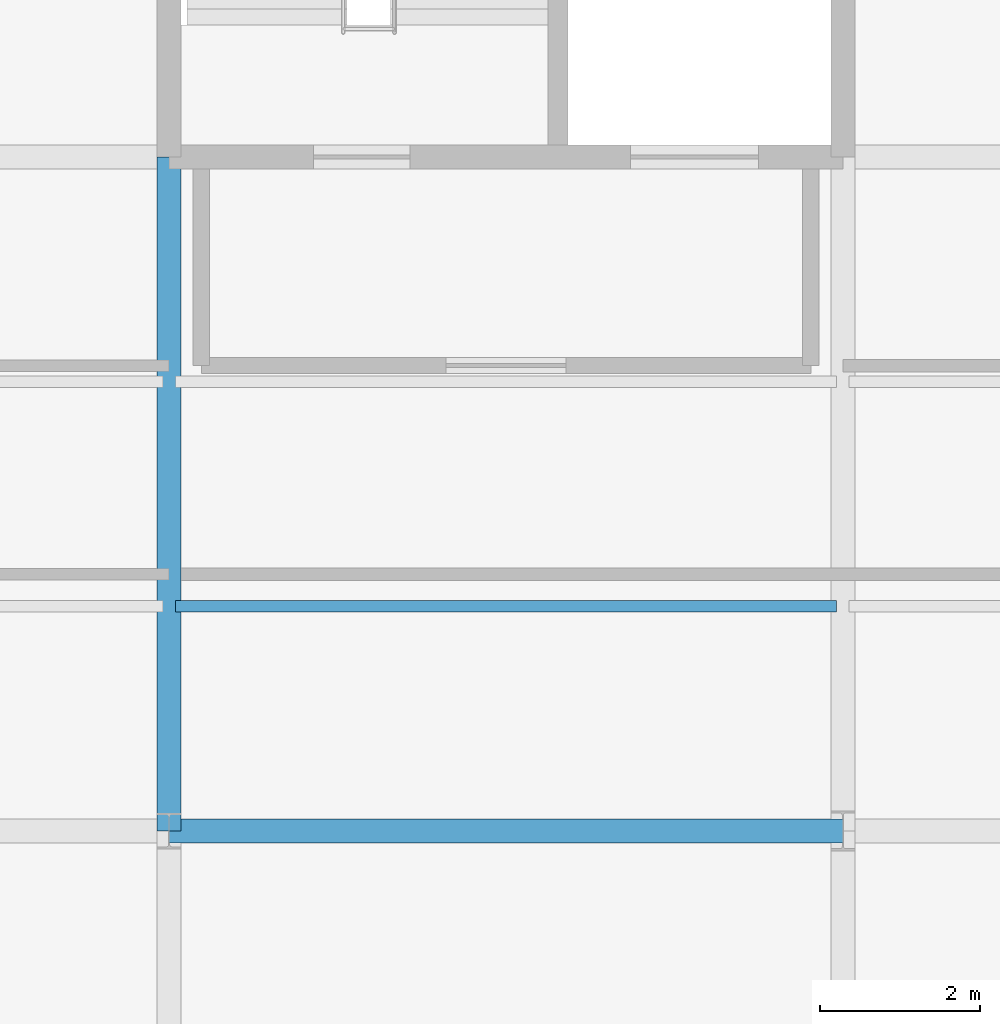
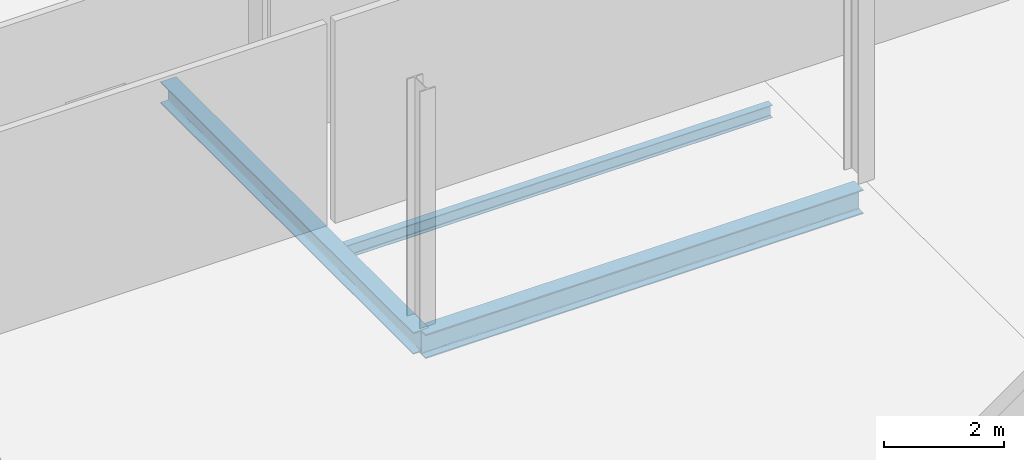
# One storey, part 36 of 145: 3 beams.
"""IFC4 building model written with IfcOpenShell, lengths in metres."""

from ifc_helpers import new_model, si_unit, direction, frame, origin, origin_2d, place, context, subcontext, project, spatial, i_section, extrude, material, material_profile, profile_set, type_object, element, save


model = new_model("IFC4")

# Units and contexts
model_context = context("Model", 3, precision=1e-05, world=origin(), true_north=direction((0.0, 1.0)))
body_context = subcontext(model_context, "Body", "Model", "MODEL_VIEW")
ifc_project = project(units=[si_unit("LENGTHUNIT", "METRE"), si_unit("AREAUNIT", "SQUARE_METRE"), si_unit("VOLUMEUNIT", "CUBIC_METRE"), si_unit("PLANEANGLEUNIT", "RADIAN"), si_unit("MASSUNIT", "GRAM", prefix="KILO")], contexts=[model_context])

# Site, building, storey
site_placement = place(None, origin())
site = spatial("IfcSite", under=ifc_project, at=site_placement, CompositionType="ELEMENT")
building_placement = place(site_placement, origin())
building = spatial("IfcBuilding", under=site, at=building_placement, Name="Qalvenar Corner Mobility Hub", CompositionType="ELEMENT")
storey_placement = place(building_placement, origin())
storey = spatial("IfcBuildingStorey", under=building, at=storey_placement, Name="L00", CompositionType="ELEMENT", Elevation=0.0)

# Beams
ifc_material = material(Name="Steel S355", Category="steel")
ifc_material_profile_1 = material_profile(ifc_material, i_section(OverallWidth=0.300048828125, OverallDepth=0.43994140625, WebThickness=0.011474609375, FlangeThickness=0.02099609375, FilletRadius=0.027099609375, at=origin_2d()), Name="HEA450")
ifc_profile_set_1 = profile_set([ifc_material_profile_1], Name="Steel S355")
beam_type_1 = type_object("IfcBeamType", Name="BM-HEA450", PredefinedType="BEAM", material=ifc_profile_set_1)
beam_1_placement = place(storey_placement, frame((8.39990234375, 50.39990234375, -0.43994140625), z_axis=(0.0, 1.0, 0.0), x_axis=(-1.0, 0.0, 0.0)))
element("IfcBeam", 1, at=beam_1_placement, inside=storey, type_object=beam_type_1, Name="Primary Steel Girder GY-0454", PredefinedType="BEAM", context=body_context, shape_type="SweptSolid", body=[
    extrude(i_section(OverallWidth=0.300048828125, OverallDepth=0.43994140625, WebThickness=0.011474609375, FlangeThickness=0.02099609375, FilletRadius=0.027099609375, at=origin_2d()), origin(), (0.0, 0.0, 1.0), 8.400146484375),
])
ifc_material_profile_2 = material_profile(ifc_material, i_section(OverallWidth=0.300048828125, OverallDepth=0.489990234375, WebThickness=0.011962890625, FlangeThickness=0.02294921875, FilletRadius=0.027099609375, at=origin_2d()), Name="HEA500")
ifc_profile_set_2 = profile_set([ifc_material_profile_2], Name="Steel S355")
beam_type_2 = type_object("IfcBeamType", Name="BM-HEA500", PredefinedType="BEAM", material=ifc_profile_set_2)
beam_2_placement = place(storey_placement, frame((8.39990234375, 50.39990234375, -0.465087890625), z_axis=(1.0, 0.0, 0.0), x_axis=(0.0, 1.0, 0.0)))
element("IfcBeam", 2, at=beam_2_placement, inside=storey, type_object=beam_type_2, Name="Primary Steel Girder GX-0424", PredefinedType="BEAM", context=body_context, shape_type="SweptSolid", body=[
    extrude(i_section(OverallWidth=0.300048828125, OverallDepth=0.489990234375, WebThickness=0.011962890625, FlangeThickness=0.02294921875, FilletRadius=0.027099609375, at=origin_2d()), origin(), (0.0, 0.0, 1.0), 8.400146484375),
])
ifc_material_profile_3 = material_profile(ifc_material, i_section(OverallWidth=0.14599609375, OverallDepth=0.258056640625, WebThickness=0.006103515625, FlangeThickness=0.009033203125, FilletRadius=0.011962890625, at=origin_2d()), Name="W250x32.7")
ifc_profile_set_3 = profile_set([ifc_material_profile_3], Name="Steel S355")
beam_type_3 = type_object("IfcBeamType", Name="BM-JST250", PredefinedType="JOIST", material=ifc_profile_set_3)
beam_3_placement = place(storey_placement, frame((8.47802734375, 53.199951171875, -0.34912109375), z_axis=(1.0, 0.0, 0.0), x_axis=(0.0, 1.0, 0.0)))
element("IfcBeam", 3, at=beam_3_placement, inside=storey, type_object=beam_type_3, Name="Composite Floor Joist J-0491", PredefinedType="JOIST", context=body_context, shape_type="SweptSolid", body=[
    extrude(i_section(OverallWidth=0.14599609375, OverallDepth=0.258056640625, WebThickness=0.006103515625, FlangeThickness=0.009033203125, FilletRadius=0.011962890625, at=origin_2d()), origin(), (0.0, 0.0, 1.0), 8.243896484375),
])

save(model, "model.ifc")
